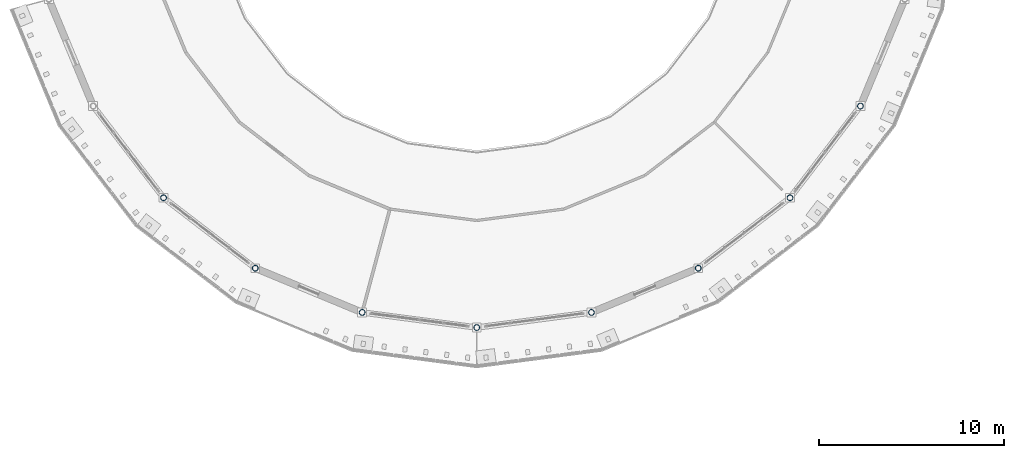
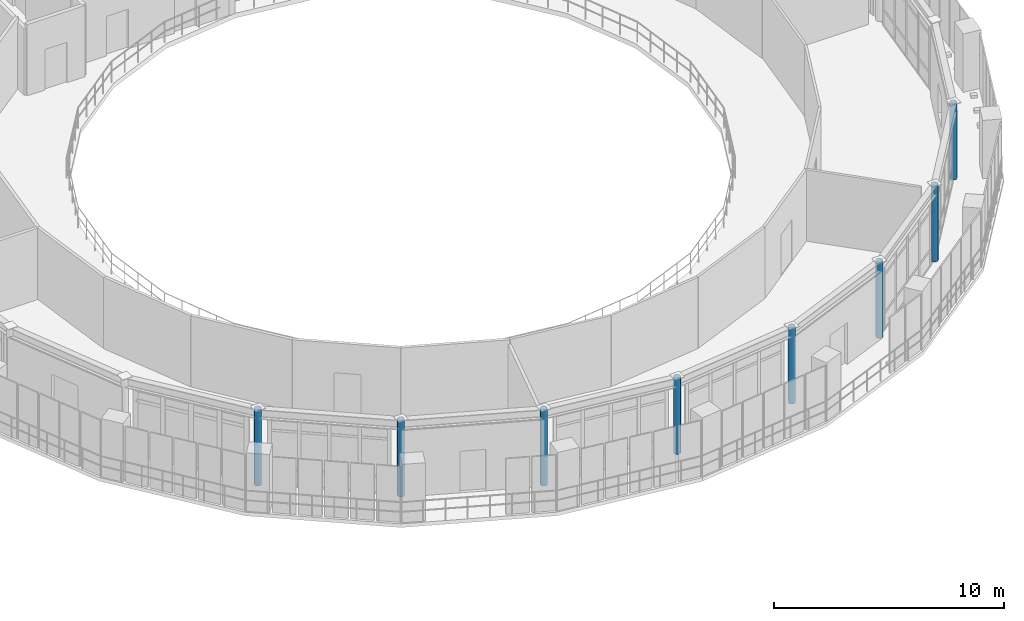
# One storey, part 5 of 58: 8 columns.
"""IFC4 building model written with IfcOpenShell, lengths in metres."""

from ifc_helpers import new_model, si_unit, derived_unit, direction, frame, origin, origin_2d, place, context, subcontext, project, spatial, hollow_circle, extrude, material, material_profile, profile_set, type_object, element, save


model = new_model("IFC4")

# Units and contexts
model_context = context("Model", 3, precision=1e-05, world=origin(), true_north=direction((0.0, 1.0)))
body_context = subcontext(model_context, "Body", "Model", "MODEL_VIEW")
ifc_project = project(units=[si_unit("LENGTHUNIT", "METRE"), si_unit("AREAUNIT", "SQUARE_METRE"), si_unit("VOLUMEUNIT", "CUBIC_METRE"), si_unit("PLANEANGLEUNIT", "RADIAN"), si_unit("MASSUNIT", "GRAM", prefix="KILO"), derived_unit("THERMALTRANSMITTANCEUNIT", [(si_unit("POWERUNIT", "WATT"), 1), (si_unit("AREAUNIT", "SQUARE_METRE"), -1), (si_unit("THERMODYNAMICTEMPERATUREUNIT", "KELVIN"), -1)])], contexts=[model_context])

# Site, building, storey
site_placement = place(None, origin())
site = spatial("IfcSite", under=ifc_project, at=site_placement, CompositionType="ELEMENT")
building_placement = place(site_placement, origin())
building = spatial("IfcBuilding", under=site, at=building_placement, Name="Yasenodar Specialist Clinic", CompositionType="ELEMENT")
storey_placement = place(building_placement, frame((0.0, 0.0, 17.25)))
storey = spatial("IfcBuildingStorey", under=building, at=storey_placement, Name="L04", CompositionType="ELEMENT", Elevation=17.25)

# Columns
ifc_material = material(Name="Steel S355", Category="steel")
ifc_material_profile = material_profile(ifc_material, hollow_circle(Radius=0.161865234375, WallThickness=0.01611328125, at=origin_2d()), Name="CHS 323.9x16")
ifc_profile_set = profile_set([ifc_material_profile], Name="Steel S355")
column_type = type_object("IfcColumnType", Name="COL-ST-CHS324", PredefinedType="COLUMN", material=ifc_profile_set)
for number, where, z_axis, x_axis, name in (
    (1, (64.029296875, 41.829345703125, 0.0), (0.0, 0.0, 1.0), (1.0, 0.0, 0.0), "L04 Drum V1 Outer Column 16"),
    (2, (69.0, 38.015380859375, 0.0), (0.0, 0.0, 1.0), (1.0, 0.0, 0.0), "L04 Drum V1 Outer Column 17"),
    (3, (74.788330078125, 35.617919921875, 0.0), (0.0, 0.0, 1.0), (1.0, 0.0, 0.0), "L04 Drum V1 Outer Column 18"),
    (4, (81.0, 34.800048828125, 0.0), (0.0, 0.0, 1.0), (1.0, 0.0, 0.0), "L04 Drum V1 Outer Column 19"),
    (5, (87.211669921875, 35.617919921875, 0.0), (0.0, 0.0, 1.0), (1.0, 0.0, 0.0), "L04 Drum V1 Outer Column 20"),
    (6, (93.0, 38.015380859375, 0.0), (0.0, 0.0, 1.0), (1.0, 0.0, 0.0), "L04 Drum V1 Outer Column 21"),
    (7, (97.970703125, 41.829345703125, 0.0), (0.0, 0.0, 1.0), (1.0, 0.0, 0.0), "L04 Drum V1 Outer Column 22"),
    (8, (101.78466796875, 46.800048828125, 0.0), (0.0, 0.0, 1.0), (1.0, 0.0, 0.0), "L04 Drum V1 Outer Column 23"),
):
    element("IfcColumn", number, at=place(storey_placement, frame(where, z_axis=z_axis, x_axis=x_axis)), inside=storey, type_object=column_type, Name=name, PredefinedType="COLUMN", context=body_context, shape_type="SweptSolid", body=[
        extrude(hollow_circle(Radius=0.161865234375, WallThickness=0.01611328125, at=origin_2d()), origin(), (0.0, 0.0, 1.0), 4.050048828125),
    ])

save(model, "model.ifc")
